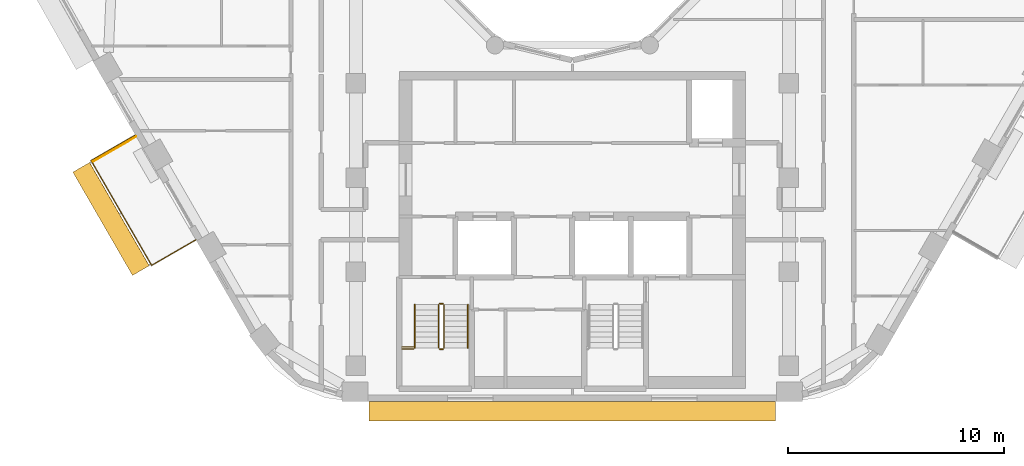
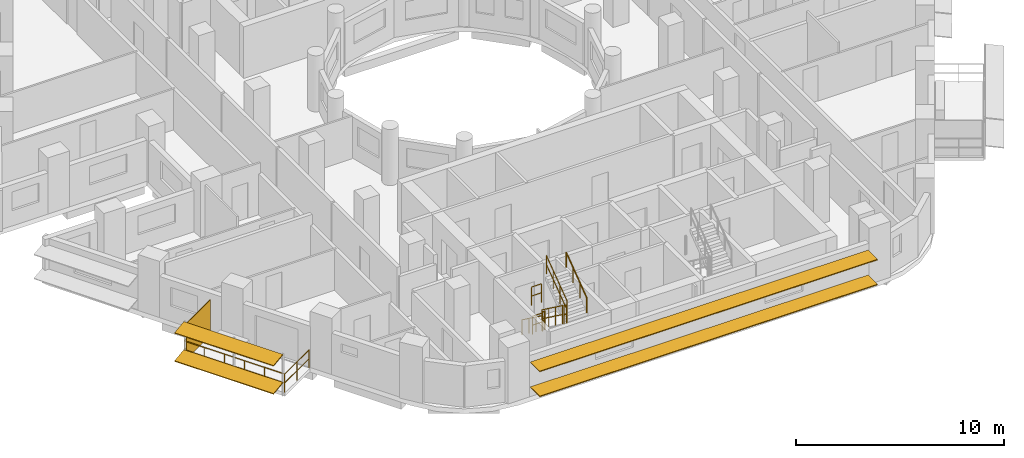
# One storey, part 12 of 15: 9 railings, 5 shading devices.
"""IFC4 building model written with IfcOpenShell, lengths in metres."""

from ifc_helpers import new_model, si_unit, direction, frame, origin, origin_2d, place, context, subcontext, project, spatial, rectangle, circle, extrude, material, layer, layer_set, material_profile, profile_set, type_object, element, save


model = new_model("IFC4")

# Units and contexts
model_context = context("Model", 3, precision=1e-05, world=origin(), true_north=direction((0.0, 1.0)))
body_context = subcontext(model_context, "Body", "Model", "MODEL_VIEW")
ifc_project = project(units=[si_unit("LENGTHUNIT", "METRE"), si_unit("AREAUNIT", "SQUARE_METRE"), si_unit("VOLUMEUNIT", "CUBIC_METRE"), si_unit("PLANEANGLEUNIT", "RADIAN"), si_unit("MASSUNIT", "GRAM", prefix="KILO")], contexts=[model_context])

# Site, building, storey
site_placement = place(None, origin())
site = spatial("IfcSite", under=ifc_project, at=site_placement, CompositionType="ELEMENT")
building_placement = place(site_placement, origin())
building = spatial("IfcBuilding", under=site, at=building_placement, Name="Nakaniwa Court", CompositionType="ELEMENT")
storey_placement = place(building_placement, frame((0.0, 0.0, 186.60009765625)))
storey = spatial("IfcBuildingStorey", under=building, at=storey_placement, Name="L48", CompositionType="ELEMENT", Elevation=186.60009765625)

# Railing
ifc_material_1 = material(Name="Black powder-coated steel flat bar balustrade S275", Category="steel")
railing_type_1 = type_object("IfcRailingType", Name="Black metal balcony guard 1100", PredefinedType="GUARDRAIL", material=ifc_material_1)
railing_1_placement = place(storey_placement, frame((59.814697265625, 69.662109375, -0.050048828125)))
element("IfcRailing", 1, at=railing_1_placement, inside=storey, type_object=railing_type_1, Name="L48 balcony guard 01", PredefinedType="GUARDRAIL", context=body_context, shape_type="SweptSolid", body=[
    extrude(circle(Radius=0.02392578125, at=origin_2d()), frame((0.0, 0.0, 1.076171875), z_axis=(-0.866006432019, -0.500032858622, 0.0), x_axis=(0.500032858622, -0.866006432019, 0.0)), (0.0, 0.0, 1.0), 2.360107421875),
    extrude(circle(Radius=0.02392578125, at=origin_2d()), frame((0.0, 0.0, 0.550048828125), z_axis=(-0.866006432019, -0.500032858622, 0.0), x_axis=(0.500032858622, -0.866006432019, 0.0)), (0.0, 0.0, 1.0), 2.360107421875),
    extrude(circle(Radius=0.02392578125, at=origin_2d()), frame((-2.0439453125, -1.18017578125, 1.076171875), z_axis=(0.500033774286, -0.866005903313, 0.0), x_axis=(0.866005903313, 0.500033774286, 0.0)), (0.0, 0.0, 1.0), 5.5888671875),
    extrude(circle(Radius=0.02392578125, at=origin_2d()), frame((-2.0439453125, -1.18017578125, 0.550048828125), z_axis=(0.500033774286, -0.866005903313, 0.0), x_axis=(0.866005903313, 0.500033774286, 0.0)), (0.0, 0.0, 1.0), 5.5888671875),
    extrude(circle(Radius=0.02392578125, at=origin_2d()), frame((0.750732421875, -6.020263671875, 1.076171875), z_axis=(0.865980564943, 0.500077655111, 0.0), x_axis=(-0.500077655111, 0.865980564943, 0.0)), (0.0, 0.0, 1.0), 2.35986328125),
    extrude(circle(Radius=0.02392578125, at=origin_2d()), frame((0.750732421875, -6.020263671875, 0.550048828125), z_axis=(0.865980564943, 0.500077655111, 0.0), x_axis=(-0.500077655111, 0.865980564943, 0.0)), (0.0, 0.0, 1.0), 2.35986328125),
    extrude(circle(Radius=0.02099609375, at=origin_2d()), origin(), (0.0, 0.0, 1.0), 1.052001953125),
    extrude(circle(Radius=0.02099609375, at=origin_2d()), frame((-1.02197265625, -0.590087890625, 0.0)), (0.0, 0.0, 1.0), 1.052001953125),
    extrude(circle(Radius=0.02099609375, at=origin_2d()), frame((-2.0439453125, -1.18017578125, 0.0)), (0.0, 0.0, 1.0), 1.052001953125),
    extrude(circle(Radius=0.02099609375, at=origin_2d()), frame((-1.485107421875, -2.148193359375, 0.0)), (0.0, 0.0, 1.0), 1.052001953125),
    extrude(circle(Radius=0.02099609375, at=origin_2d()), frame((-0.926025390625, -3.1162109375, 0.0)), (0.0, 0.0, 1.0), 1.052001953125),
    extrude(circle(Radius=0.02099609375, at=origin_2d()), frame((-0.3671875, -4.084228515625, 0.0)), (0.0, 0.0, 1.0), 1.052001953125),
    extrude(circle(Radius=0.02099609375, at=origin_2d()), frame((0.19189453125, -5.05224609375, 0.0)), (0.0, 0.0, 1.0), 1.052001953125),
    extrude(circle(Radius=0.02099609375, at=origin_2d()), frame((0.750732421875, -6.020263671875, 0.0)), (0.0, 0.0, 1.0), 1.052001953125),
    extrude(circle(Radius=0.02099609375, at=origin_2d()), frame((1.7724609375, -5.43017578125, 0.0)), (0.0, 0.0, 1.0), 1.052001953125),
    extrude(circle(Radius=0.02099609375, at=origin_2d()), frame((2.79443359375, -4.840087890625, 0.0)), (0.0, 0.0, 1.0), 1.052001953125),
])

# Shading devices
ifc_material_2 = material(Name="Black powder-coated aluminium slat screen", Category="aluminium")
ifc_layer = layer(ifc_material_2, 0.0400390625)
ifc_layer_set = layer_set([ifc_layer], Name="Black powder-coated aluminium slat screen")
shading_device_type_1 = type_object("IfcShadingDeviceType", Name="Koshi screen black metal", PredefinedType="USERDEFINED", material=ifc_layer_set)
shading_device_placement = place(storey_placement, frame((58.854248046875, 69.01513671875, -0.050048828125), z_axis=(0.0, 0.0, 1.0), x_axis=(0.500016626402, -0.866015804314, 0.0)))
element("IfcShadingDevice", 2, at=shading_device_placement, inside=storey, type_object=shading_device_type_1, Name="L48 balcony SCREEN 01 W", ObjectType="KOSHI SCREEN", PredefinedType="USERDEFINED", context=body_context, shape_type="SweptSolid", body=[
    extrude(rectangle(XDim=0.0400390625, YDim=2.31005859375, at=origin_2d()), origin(), (0.0, 0.0, 1.0), 2.10009765625),
])
ifc_material_3 = material(Name="Perforated charcoal ceramic louvre blade")
ifc_material_profile = material_profile(ifc_material_3, rectangle(XDim=0.89990234375, YDim=0.050048828125, at=origin_2d()), Name="Perforated ceramic louvre blade")
ifc_profile_set = profile_set([ifc_material_profile], Name="Perforated charcoal ceramic louvre blade")
shading_device_type_2 = type_object("IfcShadingDeviceType", Name="Perforated ceramic louvre blade", PredefinedType="JALOUSIE", material=ifc_profile_set)
for number, where, z_axis, x_axis, name in (
    (3, (57.31494140625, 68.172607421875, 0.5), (0.500033184159, -0.866006244053, 0.0), (0.858597440584, 0.495755330951, 0.13052619222), "L48 perforated ceramic louvre blade 01 1"),
    (4, (57.31494140625, 68.172607421875, 2.14990234375), (0.500033184159, -0.866006244053, 0.0), (0.858597440584, 0.495755330951, 0.13052619222), "L48 perforated ceramic louvre blade 01 2"),
):
    element("IfcShadingDevice", number, at=place(storey_placement, frame(where, z_axis=z_axis, x_axis=x_axis)), inside=storey, type_object=shading_device_type_2, Name=name, PredefinedType="JALOUSIE", context=body_context, shape_type="SweptSolid", body=[
        extrude(rectangle(XDim=0.89990234375, YDim=0.050048828125, at=origin_2d()), origin(), (0.0, 0.0, 1.0), 5.509033203125),
    ])
for number, where, z_axis, x_axis, name in (
    (5, (70.6005859375, 56.89990234375, 0.5498046875), (1.0, 0.0, 0.0), (0.0, 1.0, 0.0), "L48 perforated ceramic louvre blade w26 1"),
    (6, (70.6005859375, 56.89990234375, 2.014892578125), (1.0, 0.0, 0.0), (0.0, 1.0, 0.0), "L48 perforated ceramic louvre blade w26 2"),
):
    element("IfcShadingDevice", number, at=place(storey_placement, frame(where, z_axis=z_axis, x_axis=x_axis)), inside=storey, type_object=shading_device_type_2, Name=name, PredefinedType="JALOUSIE", context=body_context, shape_type="SweptSolid", body=[
        extrude(rectangle(XDim=0.89990234375, YDim=0.050048828125, at=origin_2d()), origin(), (0.0, 0.0, 1.0), 18.79296875),
    ])

# Railings
ifc_material_4 = material(Name="Black powder coated steel guard", Category="steel")
railing_type_2 = type_object("IfcRailingType", Name="Stair guard 1100", PredefinedType="GUARDRAIL", material=ifc_material_4)
railing_2_placement = place(storey_placement, frame((73.824951171875, 61.824951171875, 0.183349609375)))
element("IfcRailing", 7, at=railing_2_placement, inside=storey, type_object=railing_type_2, Name="L48 ST3 stair guard 1", PredefinedType="GUARDRAIL", context=body_context, shape_type="SweptSolid", body=[
    extrude(circle(Radius=0.02392578125, at=origin_2d()), frame((0.0, 0.0, 1.076171875), z_axis=(0.0, -0.806426902644, 0.591333789573), x_axis=(1.0, 0.0, 0.0)), (0.0, 0.0, 1.0), 2.47998046875),
    extrude(circle(Radius=0.02392578125, at=origin_2d()), frame((0.0, 0.0, 0.550048828125), z_axis=(0.0, -0.806426902644, 0.591333789573), x_axis=(1.0, 0.0, 0.0)), (0.0, 0.0, 1.0), 2.47998046875),
    extrude(circle(Radius=0.02099609375, at=origin_2d()), origin(), (0.0, 0.0, 1.0), 1.052001953125),
    extrude(circle(Radius=0.02099609375, at=origin_2d()), frame((0.0, -0.666748046875, 0.48876953125)), (0.0, 0.0, 1.0), 1.052001953125),
    extrude(circle(Radius=0.02099609375, at=origin_2d()), frame((0.0, -1.333251953125, 0.977783203125)), (0.0, 0.0, 1.0), 1.052001953125),
    extrude(circle(Radius=0.02099609375, at=origin_2d()), frame((0.0, -2.0, 1.466552734375)), (0.0, 0.0, 1.0), 1.052001953125),
])
railing_3_placement = place(storey_placement, frame((73.875, 59.77490234375, 1.64990234375)))
element("IfcRailing", 8, at=railing_3_placement, inside=storey, type_object=railing_type_2, Name="L48 ST3 stair guard 2", PredefinedType="GUARDRAIL", context=body_context, shape_type="SweptSolid", body=[
    extrude(circle(Radius=0.02392578125, at=origin_2d()), frame((0.0, 0.0, 1.076171875), z_axis=(1.0, 0.0, 0.0), x_axis=(0.0, 1.0, 0.0)), (0.0, 0.0, 1.0), 0.14990234375),
    extrude(circle(Radius=0.02392578125, at=origin_2d()), frame((0.0, 0.0, 0.550048828125), z_axis=(1.0, 0.0, 0.0), x_axis=(0.0, 1.0, 0.0)), (0.0, 0.0, 1.0), 0.14990234375),
    extrude(circle(Radius=0.02099609375, at=origin_2d()), origin(), (0.0, 0.0, 1.0), 1.052001953125),
    extrude(circle(Radius=0.02099609375, at=origin_2d()), frame((0.14990234375, 0.0, 0.0)), (0.0, 0.0, 1.0), 1.052001953125),
])
railing_4_placement = place(storey_placement, frame((74.074951171875, 59.824951171875, 1.833251953125)))
element("IfcRailing", 9, at=railing_4_placement, inside=storey, type_object=railing_type_2, Name="L48 ST3 stair guard 3", PredefinedType="GUARDRAIL", context=body_context, shape_type="SweptSolid", body=[
    extrude(circle(Radius=0.02392578125, at=origin_2d()), frame((0.0, 0.0, 1.076171875), z_axis=(0.0, 0.806426902644, 0.591333789573), x_axis=(-1.0, 0.0, 0.0)), (0.0, 0.0, 1.0), 2.47998046875),
    extrude(circle(Radius=0.02392578125, at=origin_2d()), frame((0.0, 0.0, 0.550048828125), z_axis=(0.0, 0.806426902644, 0.591333789573), x_axis=(-1.0, 0.0, 0.0)), (0.0, 0.0, 1.0), 2.47998046875),
    extrude(circle(Radius=0.02099609375, at=origin_2d()), origin(), (0.0, 0.0, 1.0), 1.052001953125),
    extrude(circle(Radius=0.02099609375, at=origin_2d()), frame((0.0, 0.666748046875, 0.48876953125)), (0.0, 0.0, 1.0), 1.052001953125),
    extrude(circle(Radius=0.02099609375, at=origin_2d()), frame((0.0, 1.333251953125, 0.977783203125)), (0.0, 0.0, 1.0), 1.052001953125),
    extrude(circle(Radius=0.02099609375, at=origin_2d()), frame((0.0, 2.0, 1.466552734375)), (0.0, 0.0, 1.0), 1.052001953125),
])
railing_5_placement = place(storey_placement, frame((73.875, 61.875, 0.0)))
element("IfcRailing", 10, at=railing_5_placement, inside=storey, type_object=railing_type_2, Name="L48 ST3 stair guard 4", PredefinedType="GUARDRAIL", context=body_context, shape_type="SweptSolid", body=[
    extrude(circle(Radius=0.02392578125, at=origin_2d()), frame((0.0, 0.0, 1.076171875), z_axis=(1.0, 0.0, 0.0), x_axis=(0.0, 1.0, 0.0)), (0.0, 0.0, 1.0), 0.14990234375),
    extrude(circle(Radius=0.02392578125, at=origin_2d()), frame((0.0, 0.0, 0.550048828125), z_axis=(1.0, 0.0, 0.0), x_axis=(0.0, 1.0, 0.0)), (0.0, 0.0, 1.0), 0.14990234375),
    extrude(circle(Radius=0.02099609375, at=origin_2d()), origin(), (0.0, 0.0, 1.0), 1.052001953125),
    extrude(circle(Radius=0.02099609375, at=origin_2d()), frame((0.14990234375, 0.0, 0.0)), (0.0, 0.0, 1.0), 1.052001953125),
])
for number, where, name in (
    (11, (72.125, 59.77490234375, 1.64990234375), "L48 ST3 landing side guard 1W"),
    (12, (72.125, 59.875, 3.2998046875), "L48 ST3 floor edge guard 1W"),
):
    element("IfcRailing", number, at=place(storey_placement, frame(where)), inside=storey, type_object=railing_type_2, Name=name, PredefinedType="GUARDRAIL", context=body_context, shape_type="SweptSolid", body=[
        extrude(circle(Radius=0.02392578125, at=origin_2d()), frame((0.0, 0.0, 1.076171875), z_axis=(1.0, 0.0, 0.0), x_axis=(0.0, 1.0, 0.0)), (0.0, 0.0, 1.0), 0.550048828125),
        extrude(circle(Radius=0.02392578125, at=origin_2d()), frame((0.0, 0.0, 0.550048828125), z_axis=(1.0, 0.0, 0.0), x_axis=(0.0, 1.0, 0.0)), (0.0, 0.0, 1.0), 0.550048828125),
        extrude(circle(Radius=0.02099609375, at=origin_2d()), origin(), (0.0, 0.0, 1.0), 1.052001953125),
        extrude(circle(Radius=0.02099609375, at=origin_2d()), frame((0.550048828125, 0.0, 0.0)), (0.0, 0.0, 1.0), 1.052001953125),
    ])
ifc_material_5 = material(Name="Black powder coated steel handrail", Category="steel")
railing_type_3 = type_object("IfcRailingType", Name="Stair handrail 900", PredefinedType="HANDRAIL", material=ifc_material_5)
railing_6_placement = place(storey_placement, frame((72.72509765625, 61.824951171875, 0.183349609375)))
element("IfcRailing", 13, at=railing_6_placement, inside=storey, type_object=railing_type_3, Name="L48 ST3 stair handrail 1", PredefinedType="HANDRAIL", context=body_context, shape_type="SweptSolid", body=[
    extrude(circle(Radius=0.02392578125, at=origin_2d()), frame((0.0, 0.0, 0.8759765625), z_axis=(0.0, -0.806426902644, 0.591333789573), x_axis=(1.0, 0.0, 0.0)), (0.0, 0.0, 1.0), 2.47998046875),
    extrude(circle(Radius=0.02099609375, at=origin_2d()), origin(), (0.0, 0.0, 1.0), 0.851806640625),
    extrude(circle(Radius=0.02099609375, at=origin_2d()), frame((0.0, -0.666748046875, 0.48876953125)), (0.0, 0.0, 1.0), 0.851806640625),
    extrude(circle(Radius=0.02099609375, at=origin_2d()), frame((0.0, -1.333251953125, 0.977783203125)), (0.0, 0.0, 1.0), 0.851806640625),
    extrude(circle(Radius=0.02099609375, at=origin_2d()), frame((0.0, -2.0, 1.466552734375)), (0.0, 0.0, 1.0), 0.851806640625),
])
railing_7_placement = place(storey_placement, frame((75.175048828125, 59.824951171875, 1.833251953125)))
element("IfcRailing", 14, at=railing_7_placement, inside=storey, type_object=railing_type_3, Name="L48 ST3 stair handrail 2", PredefinedType="HANDRAIL", context=body_context, shape_type="SweptSolid", body=[
    extrude(circle(Radius=0.02392578125, at=origin_2d()), frame((0.0, 0.0, 0.8759765625), z_axis=(0.0, 0.806426902644, 0.591333789573), x_axis=(-1.0, 0.0, 0.0)), (0.0, 0.0, 1.0), 2.47998046875),
    extrude(circle(Radius=0.02099609375, at=origin_2d()), origin(), (0.0, 0.0, 1.0), 0.851806640625),
    extrude(circle(Radius=0.02099609375, at=origin_2d()), frame((0.0, 0.666748046875, 0.48876953125)), (0.0, 0.0, 1.0), 0.851806640625),
    extrude(circle(Radius=0.02099609375, at=origin_2d()), frame((0.0, 1.333251953125, 0.977783203125)), (0.0, 0.0, 1.0), 0.851806640625),
    extrude(circle(Radius=0.02099609375, at=origin_2d()), frame((0.0, 2.0, 1.466552734375)), (0.0, 0.0, 1.0), 0.851806640625),
])

save(model, "model.ifc")
